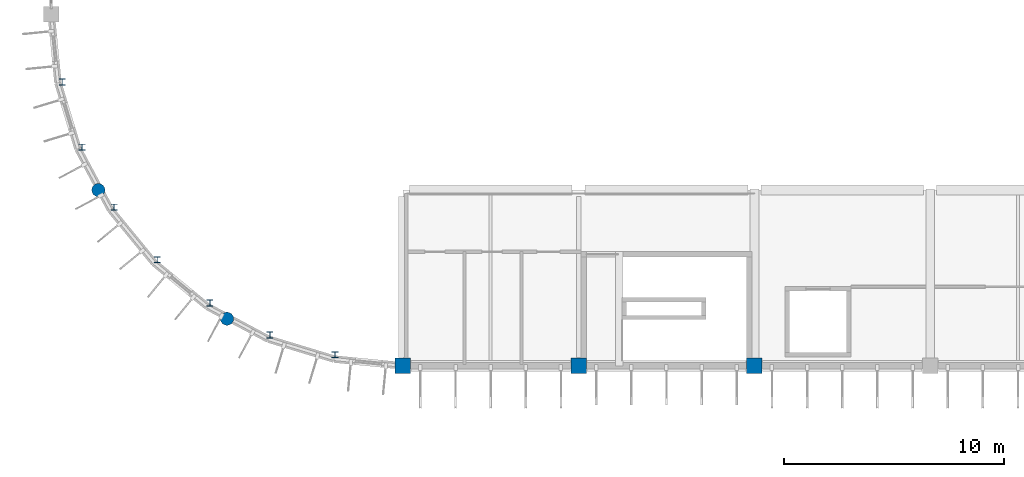
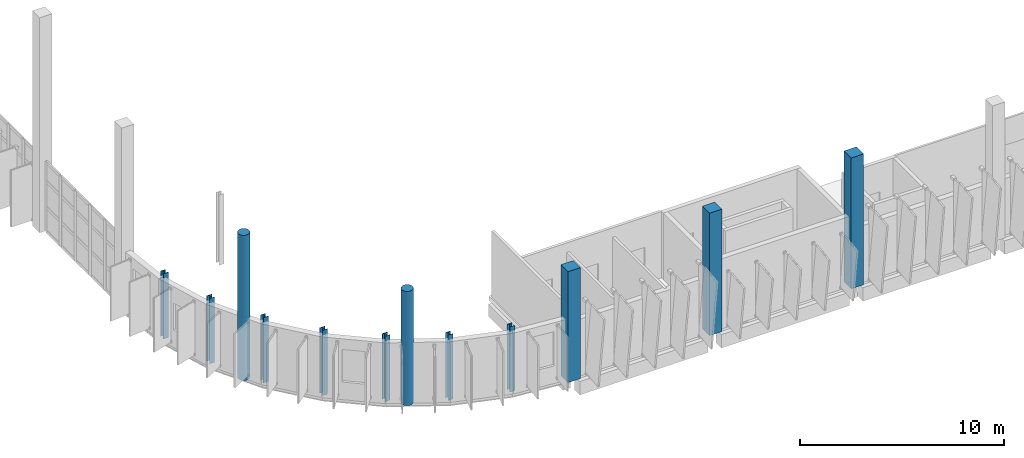
# One storey, part 1 of 66: 12 columns.
"""IFC4 building model written with IfcOpenShell, lengths in metres."""

import ifcopenshell
import ifcopenshell.guid

model = None  # the IFC model being written
_history = None  # IfcOwnerHistory: only IFC2X3 demands one
_inside = {}  # id of a spatial element -> (the spatial element, [elements in it])
_under = {}  # id of a project, library or spatial element -> (it, [spatial elements below it])
_declared = {}  # id of a project -> (the project, [libraries it declares])
_typed = {}  # id of a type object -> (the type object, [elements of that type])
_made_of = {}  # id of a material, layer set ... -> (it, [elements and type objects made of it])


def new_model(schema):
    """Start an empty IFC model of exactly this schema.

    Asked for "IFC4X3", IfcOpenShell would pick the latest addendum, in which some entities
    have other attributes; the version numbers below select the first issue.
    IFC2X3 requires an IfcOwnerHistory on every rooted entity: one is made here for all.
    """
    global model, _history
    if schema == "IFC4X3":
        model = ifcopenshell.file(schema_version=(4, 3, 0, 0))
    else:
        model = ifcopenshell.file(schema=schema)
    _inside.clear()
    _under.clear()
    _declared.clear()
    _typed.clear()
    _made_of.clear()
    _history = None
    if model.schema == "IFC2X3":
        org = make("IfcOrganization", Name="unknown")
        user = make(
            "IfcPersonAndOrganization",
            ThePerson=make("IfcPerson", FamilyName="unknown"),
            TheOrganization=org,
        )
        app = make(
            "IfcApplication",
            ApplicationDeveloper=org,
            Version="unknown",
            ApplicationFullName="unknown",
            ApplicationIdentifier="unknown",
        )
        _history = make(
            "IfcOwnerHistory",
            OwningUser=user,
            OwningApplication=app,
            ChangeAction="ADDED",
            CreationDate=0,
        )
    return model


def make(cls, **values):
    """One entity of the class cls with the attributes given. An attribute that is None is left unset."""
    return model.create_entity(
        cls, **{name: value for name, value in values.items() if value is not None}
    )


def rooted(cls, **values):
    """An entity with a GlobalId (a new one), such as an element, a storey or a relation."""
    return make(cls, GlobalId=ifcopenshell.guid.new(), OwnerHistory=_history, **values)


def si_unit(unit_type, name, prefix=None):
    """IfcSIUnit, for example si_unit("LENGTHUNIT", "METRE", prefix="MILLI")."""
    return make("IfcSIUnit", UnitType=unit_type, Prefix=prefix, Name=name)


def assignment(units):
    """IfcUnitAssignment: the units of a project."""
    return None if units is None else make("IfcUnitAssignment", Units=units)


def point(xyz):
    """IfcCartesianPoint."""
    return None if xyz is None else make("IfcCartesianPoint", Coordinates=xyz)


def direction(xyz):
    """IfcDirection."""
    return None if xyz is None else make("IfcDirection", DirectionRatios=xyz)


def frame(location, z_axis=None, x_axis=None):
    """IfcAxis2Placement3D, a coordinate frame: its origin and axes. An axis left out is left unset."""
    return make(
        "IfcAxis2Placement3D",
        Location=point(location),
        Axis=direction(z_axis),
        RefDirection=direction(x_axis),
    )


def frame_2d(location, x_axis=None):
    """IfcAxis2Placement2D, a coordinate frame in the plane: its origin and x axis."""
    return make(
        "IfcAxis2Placement2D", Location=point(location), RefDirection=direction(x_axis)
    )


def origin():
    """The frame at (0, 0, 0) with its axes left unset."""
    return frame((0.0, 0.0, 0.0))


def origin_2d():
    """The frame at (0, 0) in the plane with its x axis left unset."""
    return frame_2d((0.0, 0.0))


def place(relative_to, where):
    """IfcLocalPlacement: puts the frame where relative to a parent placement (None: the world)."""
    return make(
        "IfcLocalPlacement", PlacementRelTo=relative_to, RelativePlacement=where
    )


def context(
    kind, dimensions, precision=None, world=None, true_north=None, identifier=None
):
    """IfcGeometricRepresentationContext, for example the 3D "Model" context."""
    return make(
        "IfcGeometricRepresentationContext",
        ContextIdentifier=identifier,
        ContextType=kind,
        CoordinateSpaceDimension=dimensions,
        Precision=precision,
        WorldCoordinateSystem=world,
        TrueNorth=true_north,
    )


def subcontext(parent, identifier, kind, view, scale=None):
    """IfcGeometricRepresentationSubContext, for example "Body" below "Model"."""
    return make(
        "IfcGeometricRepresentationSubContext",
        ContextIdentifier=identifier,
        ContextType=kind,
        ParentContext=parent,
        TargetScale=scale,
        TargetView=view,
    )


def project(units=None, contexts=None):
    """IfcProject with its units and contexts."""
    return rooted(
        "IfcProject",
        Name="project",
        RepresentationContexts=contexts,
        UnitsInContext=assignment(units),
    )


def spatial(cls, under=None, at=None, **own):
    """A site, building, storey or space (cls), placed at a placement, below another one or the project."""
    s = rooted(cls, ObjectPlacement=at, **own)
    if under is not None:
        _under.setdefault(under.id(), (under, []))[1].append(s)
    return s


def profile(cls, at=None, kind="AREA", **sizes):
    """A parametric profile (cls). Its sizes go by their IFC names, for example OverallWidth=200.0."""
    return make(cls, ProfileType=kind, Position=at, **sizes)


def rectangle(**sizes):
    """IfcRectangleProfileDef."""
    return profile("IfcRectangleProfileDef", **sizes)


def circle(**sizes):
    """IfcCircleProfileDef."""
    return profile("IfcCircleProfileDef", **sizes)


def i_section(**sizes):
    """IfcIShapeProfileDef."""
    return profile("IfcIShapeProfileDef", **sizes)


def extrude(swept, where, along, depth):
    """IfcExtrudedAreaSolid: the profile swept, set in the frame where, extruded along a direction by depth."""
    return make(
        "IfcExtrudedAreaSolid",
        SweptArea=swept,
        Position=where,
        ExtrudedDirection=direction(along),
        Depth=depth,
    )


def shape(context_of_items, identifier, shape_type, items):
    """IfcShapeRepresentation: the items that make up one representation, for example the "Body"."""
    return make(
        "IfcShapeRepresentation",
        ContextOfItems=context_of_items,
        RepresentationIdentifier=identifier,
        RepresentationType=shape_type,
        Items=items,
    )


def material(Name=None, Category=None):
    """IfcMaterial."""
    return make("IfcMaterial", Name=Name, Category=Category)


def material_profile(
    of_material, cross_section, Name=None, Category=None, Priority=None
):
    """IfcMaterialProfile: a cross section and its material."""
    return make(
        "IfcMaterialProfile",
        Name=Name,
        Material=of_material,
        Profile=cross_section,
        Priority=Priority,
        Category=Category,
    )


def profile_set(profiles, Name=None, composite=None):
    """IfcMaterialProfileSet."""
    return make(
        "IfcMaterialProfileSet",
        Name=Name,
        MaterialProfiles=profiles,
        CompositeProfile=composite,
    )


def made_of(thing, what):
    """Note that an element or type object is made of a material, layer set ...; save() writes the relation."""
    if what is not None:
        _made_of.setdefault(what.id(), (what, []))[1].append(thing)
    return thing


def type_object(cls, material=None, **own):
    """A type object (cls), such as IfcWallType, which elements share."""
    return made_of(rooted(cls, **own), material)


def element(
    cls,
    number,
    at=None,
    inside=None,
    cuts=None,
    type_object=None,
    material=None,
    context=None,
    identifier="Body",
    shape_type=None,
    held_by="IfcProductDefinitionShape",
    body=None,
    shapes=None,
    **own,
):
    """One element of the class cls, such as IfcWall. Its Tag is "e" and its number.

    at: its placement. inside: the storey or other place that contains it. cuts: it is an
    opening in that element (IfcRelVoidsElement). A single representation is given by context,
    identifier, shape_type and body (its items); several are given by shapes. held_by: the class
    of the entity that holds the representations. save() writes the other relations.
    """
    e = rooted(cls, Tag="e%d" % number, ObjectPlacement=at, **own)
    if body is not None:
        shapes = [shape(context, identifier, shape_type, body)]
    if shapes is not None:
        e.Representation = make(held_by, Representations=shapes)
    if inside is not None:
        _inside.setdefault(inside.id(), (inside, []))[1].append(e)
    if cuts is not None:
        rooted(
            "IfcRelVoidsElement", RelatingBuildingElement=cuts, RelatedOpeningElement=e
        )
    if type_object is not None:
        _typed.setdefault(type_object.id(), (type_object, []))[1].append(e)
    return made_of(e, material)


def aggregate(whole, parts):
    """IfcRelAggregates: a whole, such as a stair, and the parts it consists of."""
    return rooted("IfcRelAggregates", RelatingObject=whole, RelatedObjects=parts)


def save(model, path):
    """Write the relations noted so far, then the file.

    IfcRelAggregates (storeys below a building ...), IfcRelContainedInSpatialStructure (elements
    in a storey), IfcRelDefinesByType, IfcRelAssociatesMaterial and IfcRelDeclares: one each for
    every whole, place, type object, material and project.
    """
    for whole, parts in _under.values():
        aggregate(whole, parts)
    for where, things in _inside.values():
        rooted(
            "IfcRelContainedInSpatialStructure",
            RelatedElements=things,
            RelatingStructure=where,
        )
    for kind, things in _typed.values():
        rooted("IfcRelDefinesByType", RelatedObjects=things, RelatingType=kind)
    for what, things in _made_of.values():
        rooted("IfcRelAssociatesMaterial", RelatedObjects=things, RelatingMaterial=what)
    for by, libraries in _declared.values():
        rooted("IfcRelDeclares", RelatingContext=by, RelatedDefinitions=libraries)
    model.write(path)


model = new_model("IFC4")

# Units and contexts
model_context = context("Model", 3, precision=1e-05, world=origin(), true_north=direction((0.0, 1.0)))
body_context = subcontext(model_context, "Body", "Model", "MODEL_VIEW")
ifc_project = project(units=[si_unit("LENGTHUNIT", "METRE"), si_unit("AREAUNIT", "SQUARE_METRE"), si_unit("VOLUMEUNIT", "CUBIC_METRE"), si_unit("PLANEANGLEUNIT", "RADIAN"), si_unit("MASSUNIT", "GRAM", prefix="KILO")], contexts=[model_context])

# Site, building, storey
site_placement = place(None, origin())
site = spatial("IfcSite", under=ifc_project, at=site_placement, CompositionType="ELEMENT")
building_placement = place(site_placement, origin())
building = spatial("IfcBuilding", under=site, at=building_placement, Name="Drelvana Railside Aquatics Centre", CompositionType="ELEMENT")
storey_placement = place(building_placement, frame((0.0, 0.0, 10.199951171875)))
storey = spatial("IfcBuildingStorey", under=building, at=storey_placement, Name="L02", CompositionType="ELEMENT", Elevation=10.199951171875)

# Columns
ifc_material_1 = material(Name="Concrete C40/50", Category="concrete")
ifc_material_profile_1 = material_profile(ifc_material_1, rectangle(XDim=0.699951171875, YDim=0.699951171875, at=origin_2d()), Name="RC 700x700")
ifc_profile_set_1 = profile_set([ifc_material_profile_1], Name="Concrete C40/50")
column_type_1 = type_object("IfcColumnType", Name="STR-COL-RC-700x700", PredefinedType="COLUMN", material=ifc_profile_set_1)
column_1_placement = place(storey_placement, frame((16.0, 16.0, 0.0), z_axis=(0.0, 0.0, 1.0), x_axis=(1.0, 0.0, 0.0)))
element("IfcColumn", 1, at=column_1_placement, inside=storey, type_object=column_type_1, Name="Column C-06 (L02)", PredefinedType="COLUMN", context=body_context, shape_type="SweptSolid", body=[
    extrude(rectangle(XDim=0.699951171875, YDim=0.699951171875, at=origin_2d()), origin(), (0.0, 0.0, 1.0), 6.625),
])
column_2_placement = place(storey_placement, frame((24.0, 16.0, 0.0), z_axis=(0.0, 0.0, 1.0), x_axis=(1.0, 0.0, 0.0)))
element("IfcColumn", 2, at=column_2_placement, inside=storey, type_object=column_type_1, Name="Column C-06 (L02)", PredefinedType="COLUMN", context=body_context, shape_type="SweptSolid", body=[
    extrude(rectangle(XDim=0.699951171875, YDim=0.699951171875, at=origin_2d()), origin(), (0.0, 0.0, 1.0), 7.324951171875),
])
column_3_placement = place(storey_placement, frame((32.0, 16.0, 0.0), z_axis=(0.0, 0.0, 1.0), x_axis=(1.0, 0.0, 0.0)))
element("IfcColumn", 3, at=column_3_placement, inside=storey, type_object=column_type_1, Name="Column C-06 (L02)", PredefinedType="COLUMN", context=body_context, shape_type="SweptSolid", body=[
    extrude(rectangle(XDim=0.699951171875, YDim=0.699951171875, at=origin_2d()), origin(), (0.0, 0.0, 1.0), 7.824951171875),
])
ifc_material_profile_2 = material_profile(ifc_material_1, circle(Radius=0.300048828125, at=origin_2d()), Name="RC D600")
ifc_profile_set_2 = profile_set([ifc_material_profile_2], Name="Concrete C40/50")
column_type_2 = type_object("IfcColumnType", Name="STR-COL-RC-D600", PredefinedType="PILASTER", material=ifc_profile_set_2)
column_4_placement = place(storey_placement, frame((2.1435546875, 24.0, 0.0), z_axis=(0.0, 0.0, 1.0), x_axis=(1.0, 0.0, 0.0)))
element("IfcColumn", 4, at=column_4_placement, inside=storey, type_object=column_type_2, Name="Column CP-01 (L02)", PredefinedType="PILASTER", context=body_context, shape_type="SweptSolid", body=[
    extrude(circle(Radius=0.300048828125, at=origin_2d()), origin(), (0.0, 0.0, 1.0), 8.676513671875),
])
column_5_placement = place(storey_placement, frame((8.0, 18.1435546875, 0.0), z_axis=(0.0, 0.0, 1.0), x_axis=(1.0, 0.0, 0.0)))
element("IfcColumn", 5, at=column_5_placement, inside=storey, type_object=column_type_2, Name="Column CP-01 (L02)", PredefinedType="PILASTER", context=body_context, shape_type="SweptSolid", body=[
    extrude(circle(Radius=0.300048828125, at=origin_2d()), origin(), (0.0, 0.0, 1.0), 6.82421875),
])
ifc_material_2 = material(Name="Structural steel S355", Category="steel")
ifc_material_profile_3 = material_profile(ifc_material_2, i_section(OverallWidth=0.280029296875, OverallDepth=0.280029296875, WebThickness=0.010498046875, FlangeThickness=0.01806640625, at=origin_2d()), Name="HEB 280")
ifc_profile_set_3 = profile_set([ifc_material_profile_3], Name="Structural steel S355")
column_type_3 = type_object("IfcColumnType", Name="STR-SCOL-HEB-280", PredefinedType="COLUMN", material=ifc_profile_set_3)
for number, where, z_axis, x_axis, name in (
    (6, (0.503662109375, 28.91748046875, 0.0), (0.0, 0.0, 1.0), (1.0, 0.0, 0.0), "V1SW curved chord column 1 (L02)"),
    (7, (1.402587890625, 25.95361328125, 0.0), (0.0, 0.0, 1.0), (1.0, 0.0, 0.0), "V1SW curved chord column 2 (L02)"),
    (8, (2.86279296875, 23.221923828125, 0.0), (0.0, 0.0, 1.0), (1.0, 0.0, 0.0), "V1SW curved chord column 3 (L02)"),
    (9, (4.82763671875, 20.82763671875, 0.0), (0.0, 0.0, 1.0), (1.0, 0.0, 0.0), "V1SW curved chord column 4 (L02)"),
    (10, (7.221923828125, 18.86279296875, 0.0), (0.0, 0.0, 1.0), (1.0, 0.0, 0.0), "V1SW curved chord column 5 (L02)"),
    (11, (9.95361328125, 17.402587890625, 0.0), (0.0, 0.0, 1.0), (1.0, 0.0, 0.0), "V1SW curved chord column 6 (L02)"),
    (12, (12.91748046875, 16.503662109375, 0.0), (0.0, 0.0, 1.0), (1.0, 0.0, 0.0), "V1SW curved chord column 7 (L02)"),
):
    element("IfcColumn", number, at=place(storey_placement, frame(where, z_axis=z_axis, x_axis=x_axis)), inside=storey, type_object=column_type_3, Name=name, PredefinedType="COLUMN", context=body_context, shape_type="SweptSolid", body=[
        extrude(i_section(OverallWidth=0.280029296875, OverallDepth=0.280029296875, WebThickness=0.010498046875, FlangeThickness=0.01806640625, at=origin_2d()), origin(), (0.0, 0.0, 1.0), 3.900146484375),
    ])

save(model, "model.ifc")
